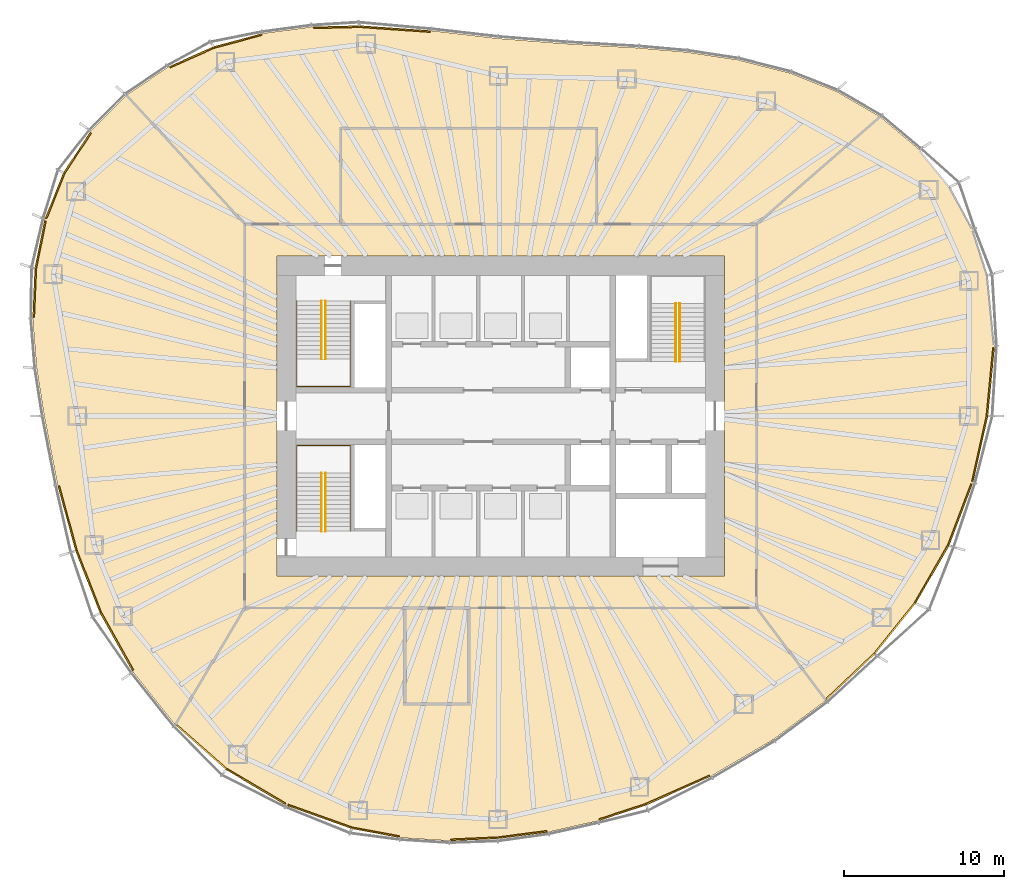
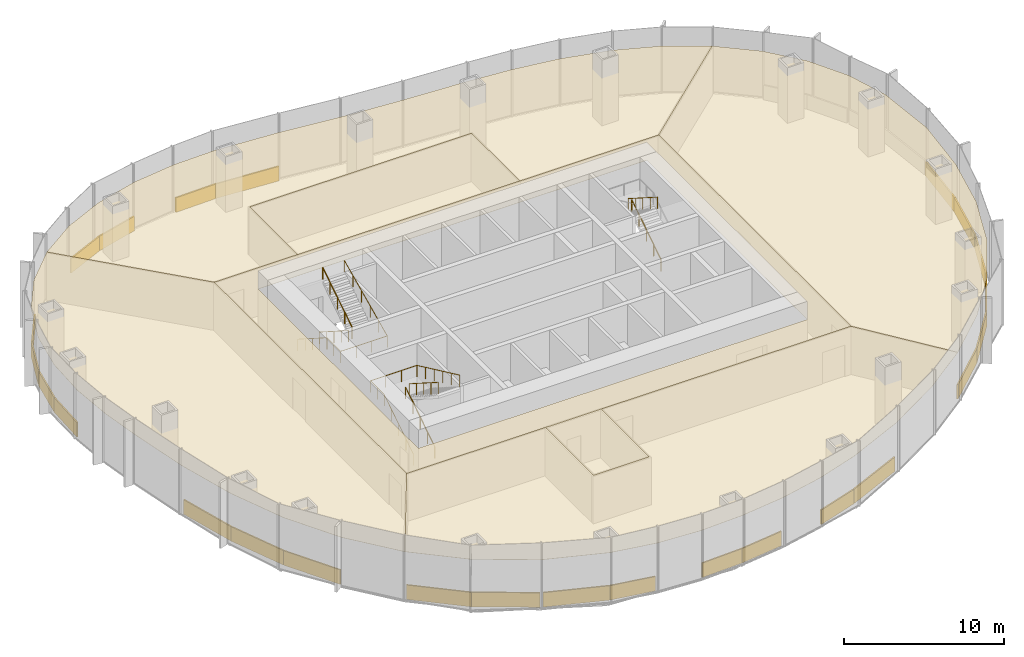
# One storey, part 16 of 18: 32 coverings, 8 railings.
"""IFC4 building model written with IfcOpenShell, lengths in metres."""

from ifc_helpers import new_model, si_unit, direction, frame, origin, origin_2d, place, context, subcontext, project, spatial, polyline, rectangle, circle, outline, extrude, material, layer, layer_set, type_object, element, save


model = new_model("IFC4")

# Units and contexts
model_context = context("Model", 3, precision=1e-05, world=origin(), true_north=direction((0.0, 1.0)))
body_context = subcontext(model_context, "Body", "Model", "MODEL_VIEW")
ifc_project = project(units=[si_unit("LENGTHUNIT", "METRE"), si_unit("AREAUNIT", "SQUARE_METRE"), si_unit("VOLUMEUNIT", "CUBIC_METRE"), si_unit("PLANEANGLEUNIT", "RADIAN"), si_unit("MASSUNIT", "GRAM", prefix="KILO")], contexts=[model_context])

# Site, building, storey
site_placement = place(None, origin())
site = spatial("IfcSite", under=ifc_project, at=site_placement, CompositionType="ELEMENT")
building_placement = place(site_placement, origin())
building = spatial("IfcBuilding", under=site, at=building_placement, Name="Ghaith Harvest Tower", CompositionType="ELEMENT")
storey_placement = place(building_placement, frame((0.0, 0.0, 184.800048828125)))
storey = spatial("IfcBuildingStorey", under=building, at=storey_placement, Name="L40", CompositionType="ELEMENT", Elevation=184.800048828125)

# Coverings
ifc_material_1 = material(Name="Mineral fibre ceiling tile", Category="gypsum")
ifc_layer_1 = layer(ifc_material_1, 0.014892578125)
ifc_layer_set_1 = layer_set([ifc_layer_1], Name="CEILING C3")
covering_type_1 = type_object("IfcCoveringType", Name="CEILING C3", PredefinedType="CEILING", material=ifc_layer_set_1)
covering_1_placement = place(storey_placement, frame((0.0, 0.0, 3.599853515625)))
element("IfcCovering", 1, at=covering_1_placement, inside=storey, type_object=covering_type_1, Name="Ceiling L40-01", PredefinedType="CEILING", context=body_context, shape_type="SweptSolid", body=[
    extrude(outline(polyline([(-10.0, 12.0), (6.0, 12.0), (6.0, 18.0), (-10.0, 18.0), (-10.0, 12.0)])), origin(), (0.0, 0.0, 1.0), 0.01513671875),
])
covering_2_placement = place(storey_placement, frame((0.0, 0.0, 3.599853515625)))
element("IfcCovering", 2, at=covering_2_placement, inside=storey, type_object=covering_type_1, Name="Ceiling L40-02", PredefinedType="CEILING", context=body_context, shape_type="SweptSolid", body=[
    extrude(outline(polyline([(-6.0, -18.0), (-2.0, -18.0), (-2.0, -12.0), (-6.0, -12.0), (-6.0, -18.0)])), origin(), (0.0, 0.0, 1.0), 0.01513671875),
])
covering_3_placement = place(storey_placement, frame((0.0, 0.0, 3.599853515625)))
element("IfcCovering", 3, at=covering_3_placement, inside=storey, type_object=covering_type_1, Name="Ceiling L40-C1", PredefinedType="CEILING", context=body_context, shape_type="SweptSolid", body=[
    extrude(outline(polyline([(-16.0, 12.0), (16.0, 12.0), (16.0, -12.0), (-16.0, -12.0), (-16.0, 12.0)]), holes=[polyline([(-14.0, -10.0), (14.0, -10.0), (14.0, 10.0), (-14.0, 10.0), (-14.0, -10.0)])]), origin(), (0.0, 0.0, 1.0), 0.01513671875),
])
covering_4_placement = place(storey_placement, frame((0.0, 0.0, 3.599853515625)))
element("IfcCovering", 4, at=covering_4_placement, inside=storey, type_object=covering_type_1, Name="Ceiling L40-N1", PredefinedType="CEILING", context=body_context, shape_type="SweptSolid", body=[
    extrude(outline(polyline([(-20.79248046875, 21.82470703125), (-17.938232421875, 23.097412109375), (-14.860595703125, 23.927978515625), (-11.788818359375, 24.331787109375), (-8.814208984375, 24.404541015625), (-4.302001953125, 24.089111328125), (-0.16162109375, 23.609619140625), (4.125732421875, 23.272705078125), (8.604736328125, 23.017333984375), (11.617919921875, 22.757080078125), (14.79833984375, 22.27978515625), (18.0849609375, 21.4462890625), (20.97998046875, 20.3056640625), (23.7275390625, 18.718017578125), (16.0, 12.0), (6.0, 12.0), (6.0, 18.0), (-10.0, 18.0), (-10.0, 12.0), (-16.0, 12.0), (-23.398193359375, 20.06103515625), (-20.79248046875, 21.82470703125)])), origin(), (0.0, 0.0, 1.0), 0.01513671875),
])
covering_5_placement = place(storey_placement, frame((0.0, 0.0, 3.599853515625)))
element("IfcCovering", 5, at=covering_5_placement, inside=storey, type_object=covering_type_1, Name="Ceiling L40-E1", PredefinedType="CEILING", context=body_context, shape_type="SweptSolid", body=[
    extrude(outline(polyline([(20.33935546875, -17.784912109375), (16.0, -12.0), (16.0, 12.0), (23.7275390625, 18.718017578125), (26.179443359375, 16.660888671875), (28.0888671875, 14.32568359375), (29.52294921875, 11.671875), (30.439208984375, 8.797607421875), (30.8798828125, 4.373046875), (30.458740234375, 0.0), (29.527099609375, -4.181396484375), (28.03125, -8.1015625), (25.94775390625, -11.714111328125), (23.400390625, -14.89208984375), (20.33935546875, -17.784912109375)])), origin(), (0.0, 0.0, 1.0), 0.01513671875),
])
covering_6_placement = place(storey_placement, frame((0.0, 0.0, 3.599853515625)))
element("IfcCovering", 6, at=covering_6_placement, inside=storey, type_object=covering_type_1, Name="Ceiling L40-S1", PredefinedType="CEILING", context=body_context, shape_type="SweptSolid", body=[
    extrude(outline(polyline([(17.054443359375, -20.22412109375), (13.163818359375, -22.510498046875), (9.09423828125, -24.326904296875), (6.09228515625, -25.308837890625), (2.99609375, -26.010009765625), (-0.180908203125, -26.423583984375), (-3.204833984375, -26.556884765625), (-6.2666015625, -26.366455078125), (-9.317138671875, -25.79638671875), (-13.4052734375, -24.33740234375), (-17.1728515625, -22.11181640625), (-20.35400390625, -19.31396484375), (-16.0, -12.0), (-6.0, -12.0), (-6.0, -18.0), (-2.0, -18.0), (-2.0, -12.0), (16.0, -12.0), (20.33935546875, -17.784912109375), (17.054443359375, -20.22412109375)])), origin(), (0.0, 0.0, 1.0), 0.01513671875),
])
covering_7_placement = place(storey_placement, frame((0.0, 0.0, 3.599853515625)))
element("IfcCovering", 7, at=covering_7_placement, inside=storey, type_object=covering_type_1, Name="Ceiling L40-W1", PredefinedType="CEILING", context=body_context, shape_type="SweptSolid", body=[
    extrude(outline(polyline([(-22.99169921875, -15.997802734375), (-25.046875, -12.32861328125), (-26.580078125, -8.423583984375), (-27.70947265625, -4.285888671875), (-28.541259765625, 0.0), (-29.01171875, 2.978271484375), (-29.260498046875, 6.07177734375), (-29.12646484375, 9.230712890625), (-28.506591796875, 12.29638671875), (-27.33837890625, 15.204833984375), (-25.61962890625, 17.826416015625), (-23.398193359375, 20.06103515625), (-16.0, 12.0), (-16.0, -12.0), (-20.35400390625, -19.31396484375), (-22.99169921875, -15.997802734375)])), origin(), (0.0, 0.0, 1.0), 0.01513671875),
])

# Railings
ifc_material_2 = material(Name="Steel, black powder-coated", Category="steel")
railing_type = type_object("IfcRailingType", Name="HANDRAIL HR1", PredefinedType="HANDRAIL", material=ifc_material_2)
railing_1_placement = place(storey_placement, frame((-11.199951171875, 7.199951171875, 0.178466796875)))
element("IfcRailing", 8, at=railing_1_placement, inside=storey, type_object=railing_type, Name="Handrail HR1 stair ST1 L40 flight 1 inner", PredefinedType="HANDRAIL", context=body_context, shape_type="SweptSolid", body=[
    extrude(circle(Radius=0.02392578125, at=origin_2d()), frame((0.0, 0.0, 0.8759765625), z_axis=(0.0, -0.843111507901, 0.53773877045), x_axis=(1.0, 0.0, 0.0)), (0.0, 0.0, 1.0), 4.317138671875),
    extrude(circle(Radius=0.02099609375, at=origin_2d()), origin(), (0.0, 0.0, 1.0), 0.851806640625),
    extrude(circle(Radius=0.02099609375, at=origin_2d()), frame((0.0, -0.909912109375, 0.580322265625)), (0.0, 0.0, 1.0), 0.851806640625),
    extrude(circle(Radius=0.02099609375, at=origin_2d()), frame((0.0, -1.81982421875, 1.16064453125)), (0.0, 0.0, 1.0), 0.851806640625),
    extrude(circle(Radius=0.02099609375, at=origin_2d()), frame((0.0, -2.72998046875, 1.7412109375)), (0.0, 0.0, 1.0), 0.851806640625),
    extrude(circle(Radius=0.02099609375, at=origin_2d()), frame((0.0, -3.639892578125, 2.321533203125)), (0.0, 0.0, 1.0), 0.851806640625),
])
railing_2_placement = place(storey_placement, frame((-10.949951171875, 3.56005859375, 2.678466796875)))
element("IfcRailing", 9, at=railing_2_placement, inside=storey, type_object=railing_type, Name="Handrail HR1 stair ST1 L40 flight 2 inner", PredefinedType="HANDRAIL", context=body_context, shape_type="SweptSolid", body=[
    extrude(circle(Radius=0.02392578125, at=origin_2d()), frame((0.0, 0.0, 0.8759765625), z_axis=(0.0, 0.843111507901, 0.53773877045), x_axis=(-1.0, 0.0, 0.0)), (0.0, 0.0, 1.0), 4.317138671875),
    extrude(circle(Radius=0.02099609375, at=origin_2d()), origin(), (0.0, 0.0, 1.0), 0.851806640625),
    extrude(circle(Radius=0.02099609375, at=origin_2d()), frame((0.0, 0.909912109375, 0.580322265625)), (0.0, 0.0, 1.0), 0.851806640625),
    extrude(circle(Radius=0.02099609375, at=origin_2d()), frame((0.0, 1.81982421875, 1.16064453125)), (0.0, 0.0, 1.0), 0.851806640625),
    extrude(circle(Radius=0.02099609375, at=origin_2d()), frame((0.0, 2.72998046875, 1.7412109375)), (0.0, 0.0, 1.0), 0.851806640625),
    extrude(circle(Radius=0.02099609375, at=origin_2d()), frame((0.0, 3.639892578125, 2.321533203125)), (0.0, 0.0, 1.0), 0.851806640625),
])
railing_3_placement = place(storey_placement, frame((-12.75, 7.199951171875, 0.178466796875)))
element("IfcRailing", 10, at=railing_3_placement, inside=storey, type_object=railing_type, Name="Handrail HR1 stair ST1 L40 wall side", PredefinedType="HANDRAIL", context=body_context, shape_type="SweptSolid", body=[
    extrude(circle(Radius=0.02392578125, at=origin_2d()), frame((0.0, 0.0, 0.8759765625), z_axis=(0.0, -0.843111507901, 0.53773877045), x_axis=(1.0, 0.0, 0.0)), (0.0, 0.0, 1.0), 4.317138671875),
    extrude(circle(Radius=0.02392578125, at=origin_2d()), frame((0.0, -3.639892578125, 3.197265625), z_axis=(0.0, -1.0, 0.0), x_axis=(1.0, 0.0, 0.0)), (0.0, 0.0, 1.0), 1.7099609375),
    extrude(circle(Radius=0.02392578125, at=origin_2d()), frame((0.0, -5.349853515625, 3.197265625), z_axis=(1.0, 0.0, 0.0), x_axis=(0.0, 1.0, 0.0)), (0.0, 0.0, 1.0), 3.35009765625),
    extrude(circle(Radius=0.02392578125, at=origin_2d()), frame((3.35009765625, -5.349853515625, 3.197265625), z_axis=(0.0, 0.905962265858, 0.423358444868), x_axis=(-1.0, 0.0, 0.0)), (0.0, 0.0, 1.0), 5.9052734375),
    extrude(circle(Radius=0.02099609375, at=origin_2d()), origin(), (0.0, 0.0, 1.0), 0.851806640625),
    extrude(circle(Radius=0.02099609375, at=origin_2d()), frame((0.0, -0.909912109375, 0.580322265625)), (0.0, 0.0, 1.0), 0.851806640625),
    extrude(circle(Radius=0.02099609375, at=origin_2d()), frame((0.0, -1.81982421875, 1.16064453125)), (0.0, 0.0, 1.0), 0.851806640625),
    extrude(circle(Radius=0.02099609375, at=origin_2d()), frame((0.0, -2.72998046875, 1.7412109375)), (0.0, 0.0, 1.0), 0.851806640625),
    extrude(circle(Radius=0.02099609375, at=origin_2d()), frame((0.0, -3.639892578125, 2.321533203125)), (0.0, 0.0, 1.0), 0.851806640625),
    extrude(circle(Radius=0.02099609375, at=origin_2d()), frame((0.0, -4.494873046875, 2.321533203125)), (0.0, 0.0, 1.0), 0.851806640625),
    extrude(circle(Radius=0.02099609375, at=origin_2d()), frame((0.0, -5.349853515625, 2.321533203125)), (0.0, 0.0, 1.0), 0.851806640625),
    extrude(circle(Radius=0.02099609375, at=origin_2d()), frame((1.11669921875, -5.349853515625, 2.321533203125)), (0.0, 0.0, 1.0), 0.851806640625),
    extrude(circle(Radius=0.02099609375, at=origin_2d()), frame((2.2333984375, -5.349853515625, 2.321533203125)), (0.0, 0.0, 1.0), 0.851806640625),
    extrude(circle(Radius=0.02099609375, at=origin_2d()), frame((3.35009765625, -5.349853515625, 2.321533203125)), (0.0, 0.0, 1.0), 0.851806640625),
    extrude(circle(Radius=0.02099609375, at=origin_2d()), frame((3.35009765625, -4.27978515625, 2.821533203125)), (0.0, 0.0, 1.0), 0.851806640625),
    extrude(circle(Radius=0.02099609375, at=origin_2d()), frame((3.35009765625, -3.2099609375, 3.321533203125)), (0.0, 0.0, 1.0), 0.851806640625),
    extrude(circle(Radius=0.02099609375, at=origin_2d()), frame((3.35009765625, -2.139892578125, 3.821533203125)), (0.0, 0.0, 1.0), 0.851806640625),
    extrude(circle(Radius=0.02099609375, at=origin_2d()), frame((3.35009765625, -1.070068359375, 4.321533203125)), (0.0, 0.0, 1.0), 0.851806640625),
    extrude(circle(Radius=0.02099609375, at=origin_2d()), frame((3.35009765625, 0.0, 4.821533203125)), (0.0, 0.0, 1.0), 0.851806640625),
])
railing_4_placement = place(storey_placement, frame((-11.199951171875, -7.199951171875, 0.178466796875)))
element("IfcRailing", 11, at=railing_4_placement, inside=storey, type_object=railing_type, Name="Handrail HR1 stair ST3 L40 flight 1 inner", PredefinedType="HANDRAIL", context=body_context, shape_type="SweptSolid", body=[
    extrude(circle(Radius=0.02392578125, at=origin_2d()), frame((0.0, 0.0, 0.8759765625), z_axis=(0.0, 0.843111507901, 0.53773877045), x_axis=(-1.0, 0.0, 0.0)), (0.0, 0.0, 1.0), 4.317138671875),
    extrude(circle(Radius=0.02099609375, at=origin_2d()), origin(), (0.0, 0.0, 1.0), 0.851806640625),
    extrude(circle(Radius=0.02099609375, at=origin_2d()), frame((0.0, 0.909912109375, 0.580322265625)), (0.0, 0.0, 1.0), 0.851806640625),
    extrude(circle(Radius=0.02099609375, at=origin_2d()), frame((0.0, 1.81982421875, 1.16064453125)), (0.0, 0.0, 1.0), 0.851806640625),
    extrude(circle(Radius=0.02099609375, at=origin_2d()), frame((0.0, 2.72998046875, 1.7412109375)), (0.0, 0.0, 1.0), 0.851806640625),
    extrude(circle(Radius=0.02099609375, at=origin_2d()), frame((0.0, 3.639892578125, 2.321533203125)), (0.0, 0.0, 1.0), 0.851806640625),
])
railing_5_placement = place(storey_placement, frame((-10.949951171875, -3.56005859375, 2.678466796875)))
element("IfcRailing", 12, at=railing_5_placement, inside=storey, type_object=railing_type, Name="Handrail HR1 stair ST3 L40 flight 2 inner", PredefinedType="HANDRAIL", context=body_context, shape_type="SweptSolid", body=[
    extrude(circle(Radius=0.02392578125, at=origin_2d()), frame((0.0, 0.0, 0.8759765625), z_axis=(0.0, -0.843111507901, 0.53773877045), x_axis=(1.0, 0.0, 0.0)), (0.0, 0.0, 1.0), 4.317138671875),
    extrude(circle(Radius=0.02099609375, at=origin_2d()), origin(), (0.0, 0.0, 1.0), 0.851806640625),
    extrude(circle(Radius=0.02099609375, at=origin_2d()), frame((0.0, -0.909912109375, 0.580322265625)), (0.0, 0.0, 1.0), 0.851806640625),
    extrude(circle(Radius=0.02099609375, at=origin_2d()), frame((0.0, -1.81982421875, 1.16064453125)), (0.0, 0.0, 1.0), 0.851806640625),
    extrude(circle(Radius=0.02099609375, at=origin_2d()), frame((0.0, -2.72998046875, 1.7412109375)), (0.0, 0.0, 1.0), 0.851806640625),
    extrude(circle(Radius=0.02099609375, at=origin_2d()), frame((0.0, -3.639892578125, 2.321533203125)), (0.0, 0.0, 1.0), 0.851806640625),
])
railing_6_placement = place(storey_placement, frame((-12.75, -7.199951171875, 0.178466796875)))
element("IfcRailing", 13, at=railing_6_placement, inside=storey, type_object=railing_type, Name="Handrail HR1 stair ST3 L40 wall side", PredefinedType="HANDRAIL", context=body_context, shape_type="SweptSolid", body=[
    extrude(circle(Radius=0.02392578125, at=origin_2d()), frame((0.0, 0.0, 0.8759765625), z_axis=(0.0, 0.843111507901, 0.53773877045), x_axis=(-1.0, 0.0, 0.0)), (0.0, 0.0, 1.0), 4.317138671875),
    extrude(circle(Radius=0.02392578125, at=origin_2d()), frame((0.0, 3.639892578125, 3.197265625), z_axis=(0.0, 1.0, 0.0), x_axis=(-1.0, 0.0, 0.0)), (0.0, 0.0, 1.0), 1.7099609375),
    extrude(circle(Radius=0.02392578125, at=origin_2d()), frame((0.0, 5.349853515625, 3.197265625), z_axis=(1.0, 0.0, 0.0), x_axis=(0.0, 1.0, 0.0)), (0.0, 0.0, 1.0), 3.35009765625),
    extrude(circle(Radius=0.02392578125, at=origin_2d()), frame((3.35009765625, 5.349853515625, 3.197265625), z_axis=(0.0, -0.905962265858, 0.423358444868), x_axis=(1.0, 0.0, 0.0)), (0.0, 0.0, 1.0), 5.9052734375),
    extrude(circle(Radius=0.02099609375, at=origin_2d()), origin(), (0.0, 0.0, 1.0), 0.851806640625),
    extrude(circle(Radius=0.02099609375, at=origin_2d()), frame((0.0, 0.909912109375, 0.580322265625)), (0.0, 0.0, 1.0), 0.851806640625),
    extrude(circle(Radius=0.02099609375, at=origin_2d()), frame((0.0, 1.81982421875, 1.16064453125)), (0.0, 0.0, 1.0), 0.851806640625),
    extrude(circle(Radius=0.02099609375, at=origin_2d()), frame((0.0, 2.72998046875, 1.7412109375)), (0.0, 0.0, 1.0), 0.851806640625),
    extrude(circle(Radius=0.02099609375, at=origin_2d()), frame((0.0, 3.639892578125, 2.321533203125)), (0.0, 0.0, 1.0), 0.851806640625),
    extrude(circle(Radius=0.02099609375, at=origin_2d()), frame((0.0, 4.494873046875, 2.321533203125)), (0.0, 0.0, 1.0), 0.851806640625),
    extrude(circle(Radius=0.02099609375, at=origin_2d()), frame((0.0, 5.349853515625, 2.321533203125)), (0.0, 0.0, 1.0), 0.851806640625),
    extrude(circle(Radius=0.02099609375, at=origin_2d()), frame((1.11669921875, 5.349853515625, 2.321533203125)), (0.0, 0.0, 1.0), 0.851806640625),
    extrude(circle(Radius=0.02099609375, at=origin_2d()), frame((2.2333984375, 5.349853515625, 2.321533203125)), (0.0, 0.0, 1.0), 0.851806640625),
    extrude(circle(Radius=0.02099609375, at=origin_2d()), frame((3.35009765625, 5.349853515625, 2.321533203125)), (0.0, 0.0, 1.0), 0.851806640625),
    extrude(circle(Radius=0.02099609375, at=origin_2d()), frame((3.35009765625, 4.27978515625, 2.821533203125)), (0.0, 0.0, 1.0), 0.851806640625),
    extrude(circle(Radius=0.02099609375, at=origin_2d()), frame((3.35009765625, 3.2099609375, 3.321533203125)), (0.0, 0.0, 1.0), 0.851806640625),
    extrude(circle(Radius=0.02099609375, at=origin_2d()), frame((3.35009765625, 2.139892578125, 3.821533203125)), (0.0, 0.0, 1.0), 0.851806640625),
    extrude(circle(Radius=0.02099609375, at=origin_2d()), frame((3.35009765625, 1.070068359375, 4.321533203125)), (0.0, 0.0, 1.0), 0.851806640625),
    extrude(circle(Radius=0.02099609375, at=origin_2d()), frame((3.35009765625, 0.0, 4.821533203125)), (0.0, 0.0, 1.0), 0.851806640625),
])
railing_7_placement = place(storey_placement, frame((11.199951171875, 3.39990234375, 0.178466796875)))
element("IfcRailing", 14, at=railing_7_placement, inside=storey, type_object=railing_type, Name="Handrail HR1 stair ST2 L40 flight 1 inner", PredefinedType="HANDRAIL", context=body_context, shape_type="SweptSolid", body=[
    extrude(circle(Radius=0.02392578125, at=origin_2d()), frame((0.0, 0.0, 0.8759765625), z_axis=(0.0, 0.843127859045, 0.537713132908), x_axis=(-1.0, 0.0, 0.0)), (0.0, 0.0, 1.0), 4.3173828125),
    extrude(circle(Radius=0.02099609375, at=origin_2d()), origin(), (0.0, 0.0, 1.0), 0.851806640625),
    extrude(circle(Radius=0.02099609375, at=origin_2d()), frame((0.0, 0.91015625, 0.580322265625)), (0.0, 0.0, 1.0), 0.851806640625),
    extrude(circle(Radius=0.02099609375, at=origin_2d()), frame((0.0, 1.820068359375, 1.16064453125)), (0.0, 0.0, 1.0), 0.851806640625),
    extrude(circle(Radius=0.02099609375, at=origin_2d()), frame((0.0, 2.72998046875, 1.7412109375)), (0.0, 0.0, 1.0), 0.851806640625),
    extrude(circle(Radius=0.02099609375, at=origin_2d()), frame((0.0, 3.64013671875, 2.321533203125)), (0.0, 0.0, 1.0), 0.851806640625),
])
railing_8_placement = place(storey_placement, frame((10.949951171875, 7.0400390625, 2.678466796875)))
element("IfcRailing", 15, at=railing_8_placement, inside=storey, type_object=railing_type, Name="Handrail HR1 stair ST2 L40 flight 2 inner", PredefinedType="HANDRAIL", context=body_context, shape_type="SweptSolid", body=[
    extrude(circle(Radius=0.02392578125, at=origin_2d()), frame((0.0, 0.0, 0.8759765625), z_axis=(0.0, -0.843127859045, 0.537713132908), x_axis=(1.0, 0.0, 0.0)), (0.0, 0.0, 1.0), 4.3173828125),
    extrude(circle(Radius=0.02099609375, at=origin_2d()), origin(), (0.0, 0.0, 1.0), 0.851806640625),
    extrude(circle(Radius=0.02099609375, at=origin_2d()), frame((0.0, -0.91015625, 0.580322265625)), (0.0, 0.0, 1.0), 0.851806640625),
    extrude(circle(Radius=0.02099609375, at=origin_2d()), frame((0.0, -1.820068359375, 1.16064453125)), (0.0, 0.0, 1.0), 0.851806640625),
    extrude(circle(Radius=0.02099609375, at=origin_2d()), frame((0.0, -2.72998046875, 1.7412109375)), (0.0, 0.0, 1.0), 0.851806640625),
    extrude(circle(Radius=0.02099609375, at=origin_2d()), frame((0.0, -3.64013671875, 2.321533203125)), (0.0, 0.0, 1.0), 0.851806640625),
])

# Coverings
ifc_material_3 = material(Name="Insulated aluminium spandrel panel on steel framing", Category="steel")
ifc_layer_2 = layer(ifc_material_3, 0.10009765625)
ifc_layer_set_2 = layer_set([ifc_layer_2], Name="SLAB EDGE UPSTAND 1100x100")
covering_type_2 = type_object("IfcCoveringType", Name="SLAB EDGE UPSTAND 1100x100", PredefinedType="CLADDING", material=ifc_layer_set_2)
covering_8_placement = place(storey_placement, frame((30.61474609375, 2.1416015625, 0.0), z_axis=(0.0, 0.0, 1.0), x_axis=(0.095861332319, 0.99539469808, 0.0)))
element("IfcCovering", 16, at=covering_8_placement, inside=storey, type_object=covering_type_2, Name="Slab edge upstand 1 bay 01 L40", PredefinedType="CLADDING", context=body_context, shape_type="SweptSolid", body=[
    extrude(rectangle(XDim=4.293212890625, YDim=0.10009765625, at=origin_2d()), origin(), (0.0, 0.0, 1.0), 1.10009765625),
])
covering_9_placement = place(storey_placement, frame((-6.611572265625, 24.200439453125, 0.0), z_axis=(0.0, 0.0, 1.0), x_axis=(-0.997566199698, 0.069725728542, 0.0)))
element("IfcCovering", 17, at=covering_9_placement, inside=storey, type_object=covering_type_2, Name="Slab edge upstand 2 bay 06 L40", PredefinedType="CLADDING", context=body_context, shape_type="SweptSolid", body=[
    extrude(rectangle(XDim=4.42333984375, YDim=0.10009765625, at=origin_2d()), origin(), (0.0, 0.0, 1.0), 1.10009765625),
])
covering_10_placement = place(storey_placement, frame((-10.25048828125, 24.3193359375, 0.0), z_axis=(0.0, 0.0, 1.0), x_axis=(-0.999700846757, -0.024458474865, 0.0)))
element("IfcCovering", 18, at=covering_10_placement, inside=storey, type_object=covering_type_2, Name="Slab edge upstand 1 bay 07 L40", PredefinedType="CLADDING", context=body_context, shape_type="SweptSolid", body=[
    extrude(rectangle(XDim=2.87548828125, YDim=0.10009765625, at=origin_2d()), origin(), (0.0, 0.0, 1.0), 1.10009765625),
])
covering_11_placement = place(storey_placement, frame((-16.4345703125, 23.451416015625, 0.0), z_axis=(0.0, 0.0, 1.0), x_axis=(-0.965455035926, -0.260569709685, 0.0)))
element("IfcCovering", 19, at=covering_11_placement, inside=storey, type_object=covering_type_2, Name="Slab edge upstand 3 bay 07 L40", PredefinedType="CLADDING", context=body_context, shape_type="SweptSolid", body=[
    extrude(rectangle(XDim=3.087890625, YDim=0.10009765625, at=origin_2d()), origin(), (0.0, 0.0, 1.0), 1.10009765625),
])
covering_12_placement = place(storey_placement, frame((-19.29931640625, 22.435791015625, 0.0), z_axis=(0.0, 0.0, 1.0), x_axis=(-0.913334621001, -0.40720986, 0.0)))
element("IfcCovering", 20, at=covering_12_placement, inside=storey, type_object=covering_type_2, Name="Slab edge upstand 1 bay 08 L40", PredefinedType="CLADDING", context=body_context, shape_type="SweptSolid", body=[
    extrude(rectangle(XDim=3.025146484375, YDim=0.10009765625, at=origin_2d()), origin(), (0.0, 0.0, 1.0), 1.10009765625),
])
covering_13_placement = place(storey_placement, frame((-26.464599609375, 16.4462890625, 0.0), z_axis=(0.0, 0.0, 1.0), x_axis=(-0.548312211554, -0.836273710373, 0.0)))
element("IfcCovering", 21, at=covering_13_placement, inside=storey, type_object=covering_type_2, Name="Slab edge upstand 1 bay 09 L40", PredefinedType="CLADDING", context=body_context, shape_type="SweptSolid", body=[
    extrude(rectangle(XDim=3.03466796875, YDim=0.10009765625, at=origin_2d()), origin(), (0.0, 0.0, 1.0), 1.10009765625),
])
covering_14_placement = place(storey_placement, frame((-27.857421875, 13.7783203125, 0.0), z_axis=(0.0, 0.0, 1.0), x_axis=(-0.372732078847, -0.927939005215, 0.0)))
element("IfcCovering", 22, at=covering_14_placement, inside=storey, type_object=covering_type_2, Name="Slab edge upstand 2 bay 09 L40", PredefinedType="CLADDING", context=body_context, shape_type="SweptSolid", body=[
    extrude(rectangle(XDim=3.034423828125, YDim=0.10009765625, at=origin_2d()), origin(), (0.0, 0.0, 1.0), 1.10009765625),
])
covering_15_placement = place(storey_placement, frame((-28.777587890625, 10.70458984375, 0.0), z_axis=(0.0, 0.0, 1.0), x_axis=(-0.198182542943, -0.980165128778, 0.0)))
element("IfcCovering", 23, at=covering_15_placement, inside=storey, type_object=covering_type_2, Name="Slab edge upstand 3 bay 09 L40", PredefinedType="CLADDING", context=body_context, shape_type="SweptSolid", body=[
    extrude(rectangle(XDim=3.027587890625, YDim=0.10009765625, at=origin_2d()), origin(), (0.0, 0.0, 1.0), 1.10009765625),
])
covering_16_placement = place(storey_placement, frame((-29.141357421875, 7.69921875, 0.0), z_axis=(0.0, 0.0, 1.0), x_axis=(-0.042372799788, -0.9991018696, 0.0)))
element("IfcCovering", 24, at=covering_16_placement, inside=storey, type_object=covering_type_2, Name="Slab edge upstand 1 bay 10 L40", PredefinedType="CLADDING", context=body_context, shape_type="SweptSolid", body=[
    extrude(rectangle(XDim=3.061767578125, YDim=0.10009765625, at=origin_2d()), origin(), (0.0, 0.0, 1.0), 1.10009765625),
])
covering_17_placement = place(storey_placement, frame((-27.08349609375, -6.389892578125, 0.0), z_axis=(0.0, 0.0, 1.0), x_axis=(0.263287721652, -0.964717355305, 0.0)))
element("IfcCovering", 25, at=covering_17_placement, inside=storey, type_object=covering_type_2, Name="Slab edge upstand 2 bay 11 L40", PredefinedType="CLADDING", context=body_context, shape_type="SweptSolid", body=[
    extrude(rectangle(XDim=4.189208984375, YDim=0.10009765625, at=origin_2d()), origin(), (0.0, 0.0, 1.0), 1.10009765625),
])
covering_18_placement = place(storey_placement, frame((-25.76708984375, -10.35791015625, 0.0), z_axis=(0.0, 0.0, 1.0), x_axis=(0.365514970008, -0.930805461254, 0.0)))
element("IfcCovering", 26, at=covering_18_placement, inside=storey, type_object=covering_type_2, Name="Slab edge upstand 1 bay 12 L40", PredefinedType="CLADDING", context=body_context, shape_type="SweptSolid", body=[
    extrude(rectangle(XDim=4.195068359375, YDim=0.10009765625, at=origin_2d()), origin(), (0.0, 0.0, 1.0), 1.10009765625),
])
covering_19_placement = place(storey_placement, frame((-24.0, -14.09521484375, 0.0), z_axis=(0.0, 0.0, 1.0), x_axis=(0.488683758288, -0.872460993045, 0.0)))
element("IfcCovering", 27, at=covering_19_placement, inside=storey, type_object=covering_type_2, Name="Slab edge upstand 2 bay 12 L40", PredefinedType="CLADDING", context=body_context, shape_type="SweptSolid", body=[
    extrude(rectangle(XDim=4.10546875, YDim=0.10009765625, at=origin_2d()), origin(), (0.0, 0.0, 1.0), 1.10009765625),
])
covering_20_placement = place(storey_placement, frame((-18.69287109375, -20.70849609375, 0.0), z_axis=(0.0, 0.0, 1.0), x_axis=(0.75089221411, -0.660424774511, 0.0)))
element("IfcCovering", 28, at=covering_20_placement, inside=storey, type_object=covering_type_2, Name="Slab edge upstand 2 bay 13 L40", PredefinedType="CLADDING", context=body_context, shape_type="SweptSolid", body=[
    extrude(rectangle(XDim=4.136474609375, YDim=0.10009765625, at=origin_2d()), origin(), (0.0, 0.0, 1.0), 1.10009765625),
])
covering_21_placement = place(storey_placement, frame((-15.306640625, -23.15625, 0.0), z_axis=(0.0, 0.0, 1.0), x_axis=(0.861020519069, -0.508570217121, 0.0)))
element("IfcCovering", 29, at=covering_21_placement, inside=storey, type_object=covering_type_2, Name="Slab edge upstand 1 bay 14 L40", PredefinedType="CLADDING", context=body_context, shape_type="SweptSolid", body=[
    extrude(rectangle(XDim=4.27587890625, YDim=0.10009765625, at=origin_2d()), origin(), (0.0, 0.0, 1.0), 1.10009765625),
])
covering_22_placement = place(storey_placement, frame((-11.29736328125, -25.03662109375, 0.0), z_axis=(0.0, 0.0, 1.0), x_axis=(0.941807015649, -0.336154049915, 0.0)))
element("IfcCovering", 30, at=covering_22_placement, inside=storey, type_object=covering_type_2, Name="Slab edge upstand 2 bay 14 L40", PredefinedType="CLADDING", context=body_context, shape_type="SweptSolid", body=[
    extrude(rectangle(XDim=4.24072265625, YDim=0.10009765625, at=origin_2d()), origin(), (0.0, 0.0, 1.0), 1.10009765625),
])
covering_23_placement = place(storey_placement, frame((-7.831787109375, -26.023193359375, 0.0), z_axis=(0.0, 0.0, 1.0), x_axis=(0.982990071164, -0.183658705191, 0.0)))
element("IfcCovering", 31, at=covering_23_placement, inside=storey, type_object=covering_type_2, Name="Slab edge upstand 1 bay 15 L40", PredefinedType="CLADDING", context=body_context, shape_type="SweptSolid", body=[
    extrude(rectangle(XDim=3.003173828125, YDim=0.10009765625, at=origin_2d()), origin(), (0.0, 0.0, 1.0), 1.10009765625),
])
covering_24_placement = place(storey_placement, frame((-1.64501953125, -26.43798828125, 0.0), z_axis=(0.0, 0.0, 1.0), x_axis=(0.999029547734, 0.044045008275, 0.0)))
element("IfcCovering", 32, at=covering_24_placement, inside=storey, type_object=covering_type_2, Name="Slab edge upstand 3 bay 15 L40", PredefinedType="CLADDING", context=body_context, shape_type="SweptSolid", body=[
    extrude(rectangle(XDim=2.927001953125, YDim=0.10009765625, at=origin_2d()), origin(), (0.0, 0.0, 1.0), 1.10009765625),
])
covering_25_placement = place(storey_placement, frame((1.3515625, -26.173583984375, 0.0), z_axis=(0.0, 0.0, 1.0), x_axis=(0.991633707242, 0.129083657611, 0.0)))
element("IfcCovering", 33, at=covering_25_placement, inside=storey, type_object=covering_type_2, Name="Slab edge upstand 1 bay 16 L40", PredefinedType="CLADDING", context=body_context, shape_type="SweptSolid", body=[
    extrude(rectangle(XDim=3.103759765625, YDim=0.10009765625, at=origin_2d()), origin(), (0.0, 0.0, 1.0), 1.10009765625),
])
covering_26_placement = place(storey_placement, frame((7.625244140625, -24.754638671875, 0.0), z_axis=(0.0, 0.0, 1.0), x_axis=(0.950441392134, 0.310903779518, 0.0)))
element("IfcCovering", 34, at=covering_26_placement, inside=storey, type_object=covering_type_2, Name="Slab edge upstand 3 bay 16 L40", PredefinedType="CLADDING", context=body_context, shape_type="SweptSolid", body=[
    extrude(rectangle(XDim=3.05859375, YDim=0.10009765625, at=origin_2d()), origin(), (0.0, 0.0, 1.0), 1.10009765625),
])
covering_27_placement = place(storey_placement, frame((11.06298828125, -23.393310546875, 0.0), z_axis=(0.0, 0.0, 1.0), x_axis=(0.913170343632, 0.407578119519, 0.0)))
element("IfcCovering", 35, at=covering_27_placement, inside=storey, type_object=covering_type_2, Name="Slab edge upstand 1 bay 17 L40", PredefinedType="CLADDING", context=body_context, shape_type="SweptSolid", body=[
    extrude(rectangle(XDim=4.356689453125, YDim=0.10009765625, at=origin_2d()), origin(), (0.0, 0.0, 1.0), 1.10009765625),
])
covering_28_placement = place(storey_placement, frame((21.871826171875, -16.267822265625, 0.0), z_axis=(0.0, 0.0, 1.0), x_axis=(0.72680962062, 0.686838973395, 0.0)))
element("IfcCovering", 36, at=covering_28_placement, inside=storey, type_object=covering_type_2, Name="Slab edge upstand 2 bay 18 L40", PredefinedType="CLADDING", context=body_context, shape_type="SweptSolid", body=[
    extrude(rectangle(XDim=4.111572265625, YDim=0.10009765625, at=origin_2d()), origin(), (0.0, 0.0, 1.0), 1.10009765625),
])
covering_29_placement = place(storey_placement, frame((24.635009765625, -13.27197265625, 0.0), z_axis=(0.0, 0.0, 1.0), x_axis=(0.625468377377, 0.780249517079, 0.0)))
element("IfcCovering", 37, at=covering_29_placement, inside=storey, type_object=covering_type_2, Name="Slab edge upstand 1 bay 19 L40", PredefinedType="CLADDING", context=body_context, shape_type="SweptSolid", body=[
    extrude(rectangle(XDim=4.072998046875, YDim=0.10009765625, at=origin_2d()), origin(), (0.0, 0.0, 1.0), 1.10009765625),
])
covering_30_placement = place(storey_placement, frame((26.9462890625, -9.8828125, 0.0), z_axis=(0.0, 0.0, 1.0), x_axis=(0.499596169173, 0.866258430117, 0.0)))
element("IfcCovering", 38, at=covering_30_placement, inside=storey, type_object=covering_type_2, Name="Slab edge upstand 2 bay 19 L40", PredefinedType="CLADDING", context=body_context, shape_type="SweptSolid", body=[
    extrude(rectangle(XDim=4.170166015625, YDim=0.10009765625, at=origin_2d()), origin(), (0.0, 0.0, 1.0), 1.10009765625),
])
covering_31_placement = place(storey_placement, frame((28.714599609375, -6.17041015625, 0.0), z_axis=(0.0, 0.0, 1.0), x_axis=(0.356503850378, 0.934293853488, 0.0)))
element("IfcCovering", 39, at=covering_31_placement, inside=storey, type_object=covering_type_2, Name="Slab edge upstand 1 bay 20 L40", PredefinedType="CLADDING", context=body_context, shape_type="SweptSolid", body=[
    extrude(rectangle(XDim=4.095947265625, YDim=0.10009765625, at=origin_2d()), origin(), (0.0, 0.0, 1.0), 1.10009765625),
])
covering_32_placement = place(storey_placement, frame((29.955078125, -2.031005859375, 0.0), z_axis=(0.0, 0.0, 1.0), x_axis=(0.217466241983, 0.976067842723, 0.0)))
element("IfcCovering", 40, at=covering_32_placement, inside=storey, type_object=covering_type_2, Name="Slab edge upstand 2 bay 20 L40", PredefinedType="CLADDING", context=body_context, shape_type="SweptSolid", body=[
    extrude(rectangle(XDim=4.183837890625, YDim=0.10009765625, at=origin_2d()), origin(), (0.0, 0.0, 1.0), 1.10009765625),
])

save(model, "model.ifc")
